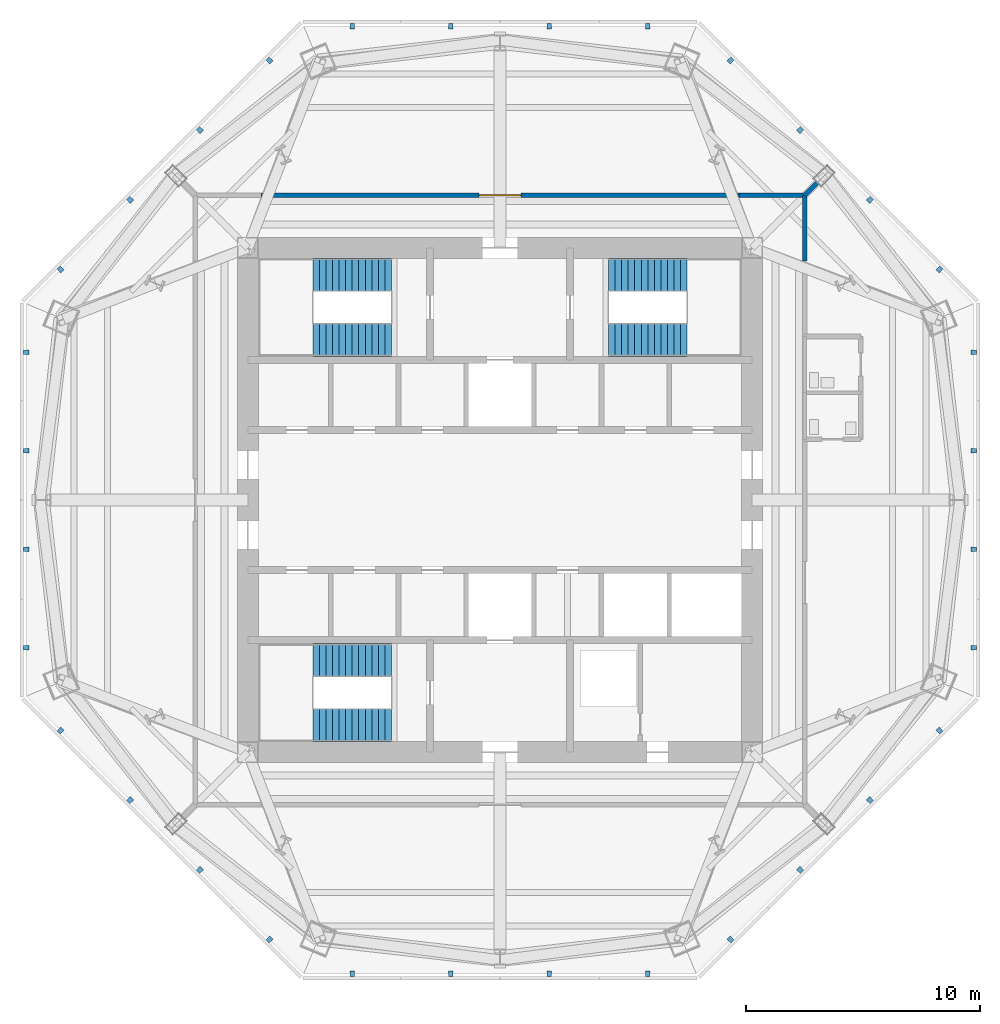
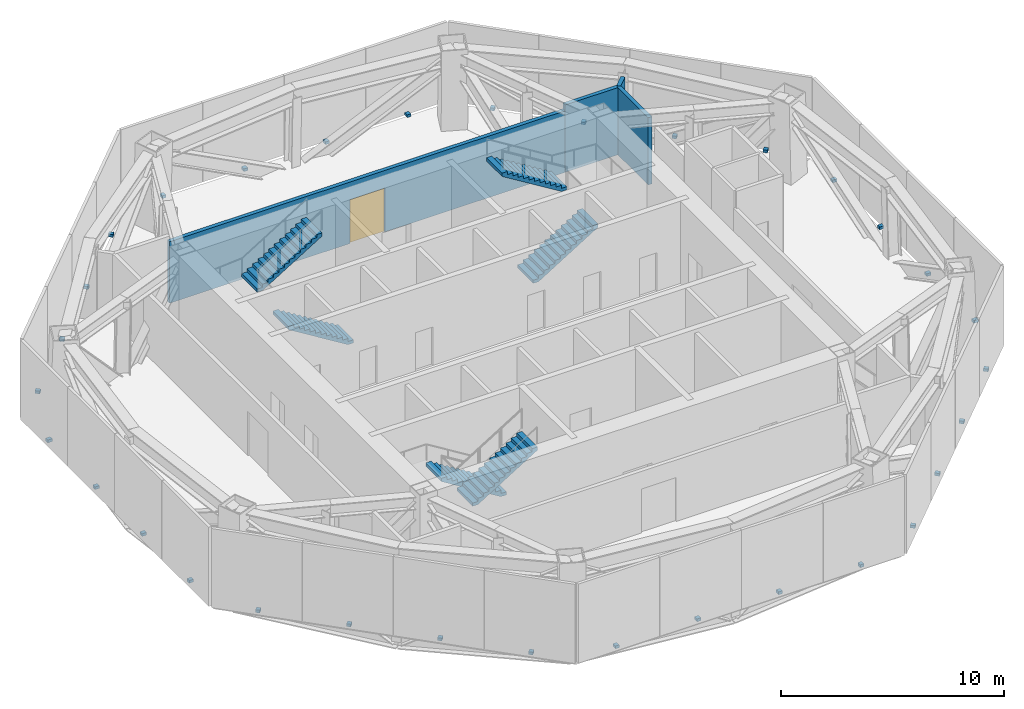
# One storey, part 6 of 9: 32 discrete accessories, 6 stair flights, 4 walls, 1 door, 1 opening, 3 elements without a shape of their own.
"""IFC4 building model written with IfcOpenShell, lengths in metres."""

from ifc_helpers import new_model, si_unit, direction, frame, frame_2d, origin, origin_2d, place, context, subcontext, project, spatial, polyline, rectangle, outline, extrude, source, transform, mapped, material, layer, layer_set, type_object, type_shapes, element, fill, aggregate, save


model = new_model("IFC4")

# Units and contexts
model_context = context("Model", 3, precision=1e-05, world=origin(), true_north=direction((0.0, 1.0)))
body_context = subcontext(model_context, "Body", "Model", "MODEL_VIEW")
ifc_project = project(units=[si_unit("LENGTHUNIT", "METRE"), si_unit("AREAUNIT", "SQUARE_METRE"), si_unit("VOLUMEUNIT", "CUBIC_METRE"), si_unit("PLANEANGLEUNIT", "RADIAN"), si_unit("MASSUNIT", "GRAM", prefix="KILO")], contexts=[model_context])

# Site, building, storey
site_placement = place(None, origin())
site = spatial("IfcSite", under=ifc_project, at=site_placement, CompositionType="ELEMENT")
building_placement = place(site_placement, origin())
building = spatial("IfcBuilding", under=site, at=building_placement, Name="Mashrafa Tower", CompositionType="ELEMENT")
storey_placement = place(building_placement, frame((0.0, 0.0, 266.300048828125)))
storey = spatial("IfcBuildingStorey", under=building, at=storey_placement, Name="L64", CompositionType="ELEMENT", Elevation=266.300048828125)

# Walls
ifc_material_1 = material(Name="Concrete masonry unit", Category="masonry")
ifc_layer = layer(ifc_material_1, 0.199951171875)
ifc_layer_set = layer_set([ifc_layer], Name="Blockwork wall 200 2 hr")
wall_type = type_object("IfcWallType", Name="Blockwork wall 200 2 hr", PredefinedType="PARTITIONING", material=ifc_layer_set)
for number, where, z_axis, x_axis, name in (
    (1, (13.050048828125, 10.22998046875, 0.0), (0.0, 0.0, 1.0), (0.0, 1.0, 0.0), "Blockwork wall L64-006"),
    (2, (13.050048828125, 13.050048828125, 0.0), (0.0, 0.0, 1.0), (-1.0, 0.0, 0.0), "Blockwork wall L64-010"),
):
    element("IfcWall", number, at=place(storey_placement, frame(where, z_axis=z_axis, x_axis=x_axis)), inside=storey, type_object=wall_type, Name=name, PredefinedType="PARTITIONING", context=body_context, shape_type="SweptSolid", body=[
        extrude(rectangle(XDim=2.820068359375, YDim=0.199951171875, at=frame_2d((1.41015625, 0.0))), origin(), (0.0, 0.0, 1.0), 3.677734375),
    ])

# Wall, opening, door
wall_1_placement = place(storey_placement, frame((10.22802734375, 13.050048828125, 0.0), z_axis=(0.0, 0.0, 1.0), x_axis=(-1.0, 0.0, 0.0)))
wall_1 = element("IfcWall", 3, at=wall_1_placement, inside=storey, type_object=wall_type, Name="Blockwork wall L64-011", PredefinedType="PARTITIONING", context=body_context, shape_type="SweptSolid", body=[
    extrude(rectangle(XDim=20.4560546875, YDim=0.199951171875, at=frame_2d((10.22802734375, 0.0))), origin(), (0.0, 0.0, 1.0), 3.36279296875),
])
opening_placement = place(wall_1_placement, frame((9.327880859375, 0.0, 0.0)))
opening = element("IfcOpeningElement", 4, at=opening_placement, cuts=wall_1, Name="Opening 64.005", PredefinedType="OPENING", context=body_context, shape_type="SweptSolid", body=[
    extrude(rectangle(XDim=1.800048828125, YDim=2.39990234375, at=frame_2d((0.89990234375, 1.199951171875))), frame((0.0, 0.10986328125, 0.0), z_axis=(0.0, -1.0, 0.0), x_axis=(1.0, 0.0, 0.0)), (0.0, 0.0, 1.0), 0.219970703125),
])
ifc_material_2 = material(Name="Steel door", Category="steel")
door_type = type_object("IfcDoorType", Name="Door pair 1800 x 2400 90 min", OperationType="DOUBLE_DOOR_SINGLE_SWING", PredefinedType="DOOR", material=ifc_material_2)
door_placement = place(opening_placement, frame((1.800048828125, 0.0, 0.0), z_axis=(0.0, 0.0, 1.0), x_axis=(-1.0, 0.0, 0.0)))
door = element("IfcDoor", 5, at=door_placement, inside=storey, type_object=door_type, Name="Electrical Plant Room L64 door", OperationType="DOUBLE_DOOR_SINGLE_SWING", OverallHeight=2.39990234375, OverallWidth=1.800048828125, PredefinedType="DOOR", context=body_context, shape_type="SweptSolid", body=[
    extrude(rectangle(XDim=1.800048828125, YDim=2.39990234375, at=frame_2d((0.89990234375, 1.199951171875))), frame((0.0, 0.02490234375, 0.0), z_axis=(0.0, -1.0, 0.0), x_axis=(1.0, 0.0, 0.0)), (0.0, 0.0, 1.0), 0.050048828125),
])
fill(opening, door)

# Wall
wall_2_placement = place(storey_placement, frame((13.578857421875, 13.578857421875, 0.0), z_axis=(0.0, 0.0, 1.0), x_axis=(-0.707106781187, -0.707106781187, 0.0)))
element("IfcWall", 6, at=wall_2_placement, inside=storey, type_object=wall_type, Name="Blockwork wall L64-021", PredefinedType="PARTITIONING", context=body_context, shape_type="SweptSolid", body=[
    extrude(rectangle(XDim=0.747802734375, YDim=0.199951171875, at=frame_2d((0.3740234375, 0.0))), origin(), (0.0, 0.0, 1.0), 3.677734375),
])

# Stair, stair flights
ifc_material_3 = material(Name="Exit stair 1400")
stair_type = type_object("IfcStairType", Name="Exit stair 1400", PredefinedType="HALF_TURN_STAIR", material=ifc_material_3)
stair_1_placement = place(storey_placement, origin())
stair_1 = element("IfcStair", 7, at=stair_1_placement, inside=storey, type_object=stair_type, Name="Stair S1 L64", PredefinedType="HALF_TURN_STAIR")
ifc_material_4 = material(Name="Concrete C32/40", Category="concrete")
stair_flight_type = type_object("IfcStairFlightType", Name="Stair flight 1400", PredefinedType="STRAIGHT", material=ifc_material_4)
stair_flight_1_placement = place(storey_placement, frame((-4.64990234375, 6.85009765625, 0.0), z_axis=(0.0, 0.0, 1.0), x_axis=(-1.0, 0.0, 0.0)))
stair_flight_1 = element("IfcStairFlight", 8, at=stair_flight_1_placement, type_object=stair_flight_type, Name="S1 flight 1", NumberOfRisers=13, NumberOfTreads=12, PredefinedType="STRAIGHT", RiserHeight=0.173076923, TreadLength=0.28, context=body_context, shape_type="SweptSolid", body=[
    extrude(outline(polyline([(0.0, 0.0), (0.0, 0.173095703125), (0.280029296875, 0.173095703125), (0.280029296875, 0.34619140625), (0.56005859375, 0.34619140625), (0.56005859375, 0.519287109375), (0.840087890625, 0.519287109375), (0.840087890625, 0.6923828125), (1.1201171875, 0.6923828125), (1.1201171875, 0.865478515625), (1.39990234375, 0.865478515625), (1.39990234375, 1.03857421875), (1.679931640625, 1.03857421875), (1.679931640625, 1.21142578125), (1.9599609375, 1.21142578125), (1.9599609375, 1.384521484375), (2.239990234375, 1.384521484375), (2.239990234375, 1.5576171875), (2.52001953125, 1.5576171875), (2.52001953125, 1.730712890625), (2.800048828125, 1.730712890625), (2.800048828125, 1.90380859375), (3.080078125, 1.90380859375), (3.080078125, 2.076904296875), (3.360107421875, 2.076904296875), (3.360107421875, 2.25), (3.360107421875, 1.900634765625), (0.28515625, 0.0), (0.0, 0.0)])), frame((0.0, 0.699951171875, 0.0), z_axis=(0.0, -1.0, 0.0), x_axis=(1.0, 0.0, 0.0)), (0.0, 0.0, 1.0), 1.39990234375),
])
stair_flight_2_placement = place(storey_placement, frame((-8.010009765625, 9.64990234375, 2.25), z_axis=(0.0, 0.0, 1.0), x_axis=(1.0, 0.0, 0.0)))
stair_flight_2 = element("IfcStairFlight", 9, at=stair_flight_2_placement, type_object=stair_flight_type, Name="S1 flight 2", NumberOfRisers=13, NumberOfTreads=12, PredefinedType="STRAIGHT", RiserHeight=0.173076923, TreadLength=0.28, context=body_context, shape_type="SweptSolid", body=[
    extrude(outline(polyline([(0.0, 0.0), (0.0, 0.173095703125), (0.280029296875, 0.173095703125), (0.280029296875, 0.34619140625), (0.56005859375, 0.34619140625), (0.56005859375, 0.519287109375), (0.840087890625, 0.519287109375), (0.840087890625, 0.6923828125), (1.1201171875, 0.6923828125), (1.1201171875, 0.865478515625), (1.39990234375, 0.865478515625), (1.39990234375, 1.03857421875), (1.679931640625, 1.03857421875), (1.679931640625, 1.21142578125), (1.9599609375, 1.21142578125), (1.9599609375, 1.384521484375), (2.239990234375, 1.384521484375), (2.239990234375, 1.5576171875), (2.52001953125, 1.5576171875), (2.52001953125, 1.730712890625), (2.800048828125, 1.730712890625), (2.800048828125, 1.90380859375), (3.080078125, 1.90380859375), (3.080078125, 2.076904296875), (3.360107421875, 2.076904296875), (3.360107421875, 2.25), (3.360107421875, 1.900634765625), (0.28515625, 0.0), (0.0, 0.0)])), frame((0.0, 0.699951171875, 0.0), z_axis=(0.0, -1.0, 0.0), x_axis=(1.0, 0.0, 0.0)), (0.0, 0.0, 1.0), 1.39990234375),
])
aggregate(stair_1, [stair_flight_1, stair_flight_2])

stair_2_placement = place(storey_placement, origin())
stair_2 = element("IfcStair", 10, at=stair_2_placement, inside=storey, type_object=stair_type, Name="Stair S2 L64", PredefinedType="HALF_TURN_STAIR")
stair_flight_3_placement = place(storey_placement, frame((4.64990234375, 6.85009765625, 0.0), z_axis=(0.0, 0.0, 1.0), x_axis=(1.0, 0.0, 0.0)))
stair_flight_3 = element("IfcStairFlight", 11, at=stair_flight_3_placement, type_object=stair_flight_type, Name="S2 flight 1", NumberOfRisers=13, NumberOfTreads=12, PredefinedType="STRAIGHT", RiserHeight=0.173076923, TreadLength=0.28, context=body_context, shape_type="SweptSolid", body=[
    extrude(outline(polyline([(0.0, 0.0), (0.0, 0.173095703125), (0.280029296875, 0.173095703125), (0.280029296875, 0.34619140625), (0.56005859375, 0.34619140625), (0.56005859375, 0.519287109375), (0.840087890625, 0.519287109375), (0.840087890625, 0.6923828125), (1.1201171875, 0.6923828125), (1.1201171875, 0.865478515625), (1.39990234375, 0.865478515625), (1.39990234375, 1.03857421875), (1.679931640625, 1.03857421875), (1.679931640625, 1.21142578125), (1.9599609375, 1.21142578125), (1.9599609375, 1.384521484375), (2.239990234375, 1.384521484375), (2.239990234375, 1.5576171875), (2.52001953125, 1.5576171875), (2.52001953125, 1.730712890625), (2.800048828125, 1.730712890625), (2.800048828125, 1.90380859375), (3.080078125, 1.90380859375), (3.080078125, 2.076904296875), (3.360107421875, 2.076904296875), (3.360107421875, 2.25), (3.360107421875, 1.900634765625), (0.28515625, 0.0), (0.0, 0.0)])), frame((0.0, 0.699951171875, 0.0), z_axis=(0.0, -1.0, 0.0), x_axis=(1.0, 0.0, 0.0)), (0.0, 0.0, 1.0), 1.39990234375),
])
stair_flight_4_placement = place(storey_placement, frame((8.010009765625, 9.64990234375, 2.25), z_axis=(0.0, 0.0, 1.0), x_axis=(-1.0, 0.0, 0.0)))
stair_flight_4 = element("IfcStairFlight", 12, at=stair_flight_4_placement, type_object=stair_flight_type, Name="S2 flight 2", NumberOfRisers=13, NumberOfTreads=12, PredefinedType="STRAIGHT", RiserHeight=0.173076923, TreadLength=0.28, context=body_context, shape_type="SweptSolid", body=[
    extrude(outline(polyline([(0.0, 0.0), (0.0, 0.173095703125), (0.280029296875, 0.173095703125), (0.280029296875, 0.34619140625), (0.56005859375, 0.34619140625), (0.56005859375, 0.519287109375), (0.840087890625, 0.519287109375), (0.840087890625, 0.6923828125), (1.1201171875, 0.6923828125), (1.1201171875, 0.865478515625), (1.39990234375, 0.865478515625), (1.39990234375, 1.03857421875), (1.679931640625, 1.03857421875), (1.679931640625, 1.21142578125), (1.9599609375, 1.21142578125), (1.9599609375, 1.384521484375), (2.239990234375, 1.384521484375), (2.239990234375, 1.5576171875), (2.52001953125, 1.5576171875), (2.52001953125, 1.730712890625), (2.800048828125, 1.730712890625), (2.800048828125, 1.90380859375), (3.080078125, 1.90380859375), (3.080078125, 2.076904296875), (3.360107421875, 2.076904296875), (3.360107421875, 2.25), (3.360107421875, 1.900634765625), (0.28515625, 0.0), (0.0, 0.0)])), frame((0.0, 0.699951171875, 0.0), z_axis=(0.0, -1.0, 0.0), x_axis=(1.0, 0.0, 0.0)), (0.0, 0.0, 1.0), 1.39990234375),
])
aggregate(stair_2, [stair_flight_3, stair_flight_4])

stair_3_placement = place(storey_placement, origin())
stair_3 = element("IfcStair", 13, at=stair_3_placement, inside=storey, type_object=stair_type, Name="Stair S3 L64", PredefinedType="HALF_TURN_STAIR")
stair_flight_5_placement = place(storey_placement, frame((-4.64990234375, -6.85009765625, 0.0), z_axis=(0.0, 0.0, 1.0), x_axis=(-1.0, 0.0, 0.0)))
stair_flight_5 = element("IfcStairFlight", 14, at=stair_flight_5_placement, type_object=stair_flight_type, Name="S3 flight 1", NumberOfRisers=13, NumberOfTreads=12, PredefinedType="STRAIGHT", RiserHeight=0.173076923, TreadLength=0.28, context=body_context, shape_type="SweptSolid", body=[
    extrude(outline(polyline([(0.0, 0.0), (0.0, 0.173095703125), (0.280029296875, 0.173095703125), (0.280029296875, 0.34619140625), (0.56005859375, 0.34619140625), (0.56005859375, 0.519287109375), (0.840087890625, 0.519287109375), (0.840087890625, 0.6923828125), (1.1201171875, 0.6923828125), (1.1201171875, 0.865478515625), (1.39990234375, 0.865478515625), (1.39990234375, 1.03857421875), (1.679931640625, 1.03857421875), (1.679931640625, 1.21142578125), (1.9599609375, 1.21142578125), (1.9599609375, 1.384521484375), (2.239990234375, 1.384521484375), (2.239990234375, 1.5576171875), (2.52001953125, 1.5576171875), (2.52001953125, 1.730712890625), (2.800048828125, 1.730712890625), (2.800048828125, 1.90380859375), (3.080078125, 1.90380859375), (3.080078125, 2.076904296875), (3.360107421875, 2.076904296875), (3.360107421875, 2.25), (3.360107421875, 1.900634765625), (0.28515625, 0.0), (0.0, 0.0)])), frame((0.0, 0.699951171875, 0.0), z_axis=(0.0, -1.0, 0.0), x_axis=(1.0, 0.0, 0.0)), (0.0, 0.0, 1.0), 1.39990234375),
])
stair_flight_6_placement = place(storey_placement, frame((-8.010009765625, -9.64990234375, 2.25), z_axis=(0.0, 0.0, 1.0), x_axis=(1.0, 0.0, 0.0)))
stair_flight_6 = element("IfcStairFlight", 15, at=stair_flight_6_placement, type_object=stair_flight_type, Name="S3 flight 2", NumberOfRisers=13, NumberOfTreads=12, PredefinedType="STRAIGHT", RiserHeight=0.173076923, TreadLength=0.28, context=body_context, shape_type="SweptSolid", body=[
    extrude(outline(polyline([(0.0, 0.0), (0.0, 0.173095703125), (0.280029296875, 0.173095703125), (0.280029296875, 0.34619140625), (0.56005859375, 0.34619140625), (0.56005859375, 0.519287109375), (0.840087890625, 0.519287109375), (0.840087890625, 0.6923828125), (1.1201171875, 0.6923828125), (1.1201171875, 0.865478515625), (1.39990234375, 0.865478515625), (1.39990234375, 1.03857421875), (1.679931640625, 1.03857421875), (1.679931640625, 1.21142578125), (1.9599609375, 1.21142578125), (1.9599609375, 1.384521484375), (2.239990234375, 1.384521484375), (2.239990234375, 1.5576171875), (2.52001953125, 1.5576171875), (2.52001953125, 1.730712890625), (2.800048828125, 1.730712890625), (2.800048828125, 1.90380859375), (3.080078125, 1.90380859375), (3.080078125, 2.076904296875), (3.360107421875, 2.076904296875), (3.360107421875, 2.25), (3.360107421875, 1.900634765625), (0.28515625, 0.0), (0.0, 0.0)])), frame((0.0, 0.699951171875, 0.0), z_axis=(0.0, -1.0, 0.0), x_axis=(1.0, 0.0, 0.0)), (0.0, 0.0, 1.0), 1.39990234375),
])
aggregate(stair_3, [stair_flight_5, stair_flight_6])

# Discrete accessories
ifc_material_5 = material(Name="Galvanised steel louvre bracket", Category="steel")
discrete_accessory_type = type_object("IfcDiscreteAccessoryType", Name="Louvre support bracket 200 x 150", PredefinedType="BRACKET", material=ifc_material_5)
shared_shape = source(origin(), body_context, "Body", "SweptSolid", [
    extrude(rectangle(XDim=0.199951171875, YDim=0.22509765625, at=origin_2d()), origin(), (0.0, 0.0, 1.0), 0.14990234375),
])
type_shapes(discrete_accessory_type, [shared_shape])
for number, where, z_axis, x_axis, name in (
    (16, (20.2939453125, -6.33203125, 0.0), (0.0, 0.0, 1.0), (0.0, 1.0, 0.0), "Louvre support bracket L64 east 1"),
    (17, (20.2939453125, -2.110595703125, 0.0), (0.0, 0.0, 1.0), (0.0, 1.0, 0.0), "Louvre support bracket L64 east 2"),
    (18, (20.2939453125, 2.110595703125, 0.0), (0.0, 0.0, 1.0), (0.0, 1.0, 0.0), "Louvre support bracket L64 east 3"),
    (19, (20.2939453125, 6.33203125, 0.0), (0.0, 0.0, 1.0), (0.0, 1.0, 0.0), "Louvre support bracket L64 east 4"),
    (20, (18.827392578125, 9.87255859375, 0.0), (0.0, 0.0, 1.0), (-0.707106781187, 0.707106781187, 0.0), "Louvre support bracket L64 north-east 1"),
    (21, (15.842529296875, 12.857421875, 0.0), (0.0, 0.0, 1.0), (-0.707106781187, 0.707106781187, 0.0), "Louvre support bracket L64 north-east 2"),
    (22, (12.857421875, 15.842529296875, 0.0), (0.0, 0.0, 1.0), (-0.707106781187, 0.707106781187, 0.0), "Louvre support bracket L64 north-east 3"),
    (23, (9.87255859375, 18.827392578125, 0.0), (0.0, 0.0, 1.0), (-0.707106781187, 0.707106781187, 0.0), "Louvre support bracket L64 north-east 4"),
    (24, (6.33203125, 20.2939453125, 0.0), (0.0, 0.0, 1.0), (-1.0, 0.0, 0.0), "Louvre support bracket L64 north 1"),
    (25, (2.110595703125, 20.2939453125, 0.0), (0.0, 0.0, 1.0), (-1.0, 0.0, 0.0), "Louvre support bracket L64 north 2"),
    (26, (-2.110595703125, 20.2939453125, 0.0), (0.0, 0.0, 1.0), (-1.0, 0.0, 0.0), "Louvre support bracket L64 north 3"),
    (27, (-6.33203125, 20.2939453125, 0.0), (0.0, 0.0, 1.0), (-1.0, 0.0, 0.0), "Louvre support bracket L64 north 4"),
    (28, (-9.87255859375, 18.827392578125, 0.0), (0.0, 0.0, 1.0), (-0.707106781187, -0.707106781187, 0.0), "Louvre support bracket L64 north-west 1"),
    (29, (-12.857421875, 15.842529296875, 0.0), (0.0, 0.0, 1.0), (-0.707106781187, -0.707106781187, 0.0), "Louvre support bracket L64 north-west 2"),
    (30, (-15.842529296875, 12.857421875, 0.0), (0.0, 0.0, 1.0), (-0.707106781187, -0.707106781187, 0.0), "Louvre support bracket L64 north-west 3"),
    (31, (-18.827392578125, 9.87255859375, 0.0), (0.0, 0.0, 1.0), (-0.707106781187, -0.707106781187, 0.0), "Louvre support bracket L64 north-west 4"),
    (32, (-20.2939453125, 6.33203125, 0.0), (0.0, 0.0, 1.0), (0.0, -1.0, 0.0), "Louvre support bracket L64 west 1"),
    (33, (-20.2939453125, 2.110595703125, 0.0), (0.0, 0.0, 1.0), (0.0, -1.0, 0.0), "Louvre support bracket L64 west 2"),
    (34, (-20.2939453125, -2.110595703125, 0.0), (0.0, 0.0, 1.0), (0.0, -1.0, 0.0), "Louvre support bracket L64 west 3"),
    (35, (-20.2939453125, -6.33203125, 0.0), (0.0, 0.0, 1.0), (0.0, -1.0, 0.0), "Louvre support bracket L64 west 4"),
    (36, (-18.827392578125, -9.87255859375, 0.0), (0.0, 0.0, 1.0), (0.707106781187, -0.707106781187, 0.0), "Louvre support bracket L64 south-west 1"),
    (37, (-15.842529296875, -12.857421875, 0.0), (0.0, 0.0, 1.0), (0.707106781187, -0.707106781187, 0.0), "Louvre support bracket L64 south-west 2"),
    (38, (-12.857421875, -15.842529296875, 0.0), (0.0, 0.0, 1.0), (0.707106781187, -0.707106781187, 0.0), "Louvre support bracket L64 south-west 3"),
    (39, (-9.87255859375, -18.827392578125, 0.0), (0.0, 0.0, 1.0), (0.707106781187, -0.707106781187, 0.0), "Louvre support bracket L64 south-west 4"),
    (40, (-6.33203125, -20.2939453125, 0.0), (0.0, 0.0, 1.0), (1.0, 0.0, 0.0), "Louvre support bracket L64 south 1"),
    (41, (-2.110595703125, -20.2939453125, 0.0), (0.0, 0.0, 1.0), (1.0, 0.0, 0.0), "Louvre support bracket L64 south 2"),
    (42, (2.110595703125, -20.2939453125, 0.0), (0.0, 0.0, 1.0), (1.0, 0.0, 0.0), "Louvre support bracket L64 south 3"),
    (43, (6.33203125, -20.2939453125, 0.0), (0.0, 0.0, 1.0), (1.0, 0.0, 0.0), "Louvre support bracket L64 south 4"),
    (44, (9.87255859375, -18.827392578125, 0.0), (0.0, 0.0, 1.0), (0.707106781187, 0.707106781187, 0.0), "Louvre support bracket L64 south-east 1"),
    (45, (12.857421875, -15.842529296875, 0.0), (0.0, 0.0, 1.0), (0.707106781187, 0.707106781187, 0.0), "Louvre support bracket L64 south-east 2"),
    (46, (15.842529296875, -12.857421875, 0.0), (0.0, 0.0, 1.0), (0.707106781187, 0.707106781187, 0.0), "Louvre support bracket L64 south-east 3"),
    (47, (18.827392578125, -9.87255859375, 0.0), (0.0, 0.0, 1.0), (0.707106781187, 0.707106781187, 0.0), "Louvre support bracket L64 south-east 4"),
):
    element("IfcDiscreteAccessory", number, at=place(storey_placement, frame(where, z_axis=z_axis, x_axis=x_axis)), inside=storey, type_object=discrete_accessory_type, Name=name, PredefinedType="BRACKET", context=body_context, shape_type="MappedRepresentation", body=[
        mapped(shared_shape, transform((0.0, 0.0, 0.0))),
    ])

save(model, "model.ifc")
